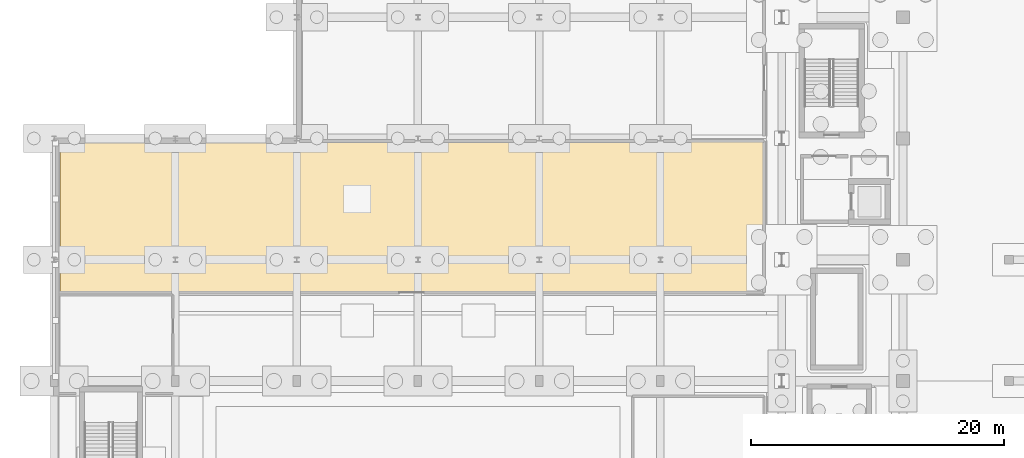
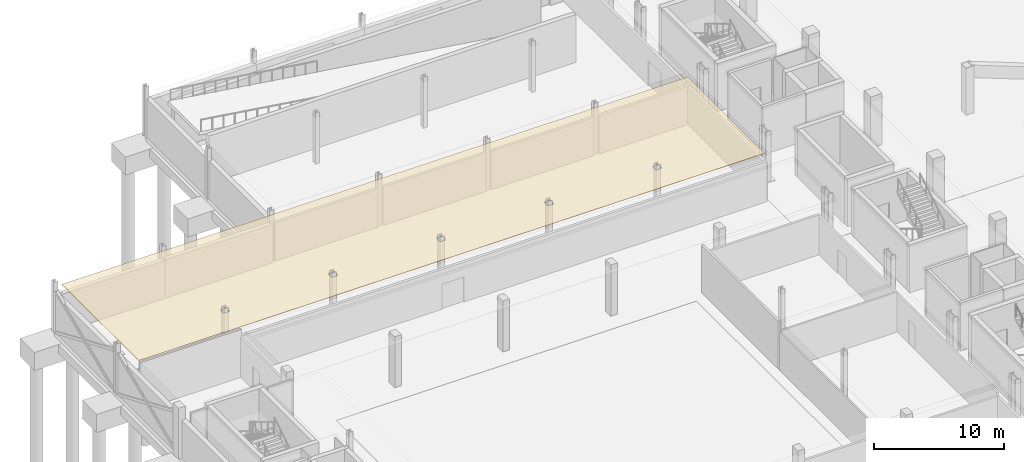
# One storey, part 47 of 67: 1 covering.
"""IFC4 building model written with IfcOpenShell, lengths in metres."""

import ifcopenshell
import ifcopenshell.guid

model = None  # the IFC model being written
_history = None  # IfcOwnerHistory: only IFC2X3 demands one
_inside = {}  # id of a spatial element -> (the spatial element, [elements in it])
_under = {}  # id of a project, library or spatial element -> (it, [spatial elements below it])
_declared = {}  # id of a project -> (the project, [libraries it declares])
_typed = {}  # id of a type object -> (the type object, [elements of that type])
_made_of = {}  # id of a material, layer set ... -> (it, [elements and type objects made of it])


def new_model(schema):
    """Start an empty IFC model of exactly this schema.

    Asked for "IFC4X3", IfcOpenShell would pick the latest addendum, in which some entities
    have other attributes; the version numbers below select the first issue.
    IFC2X3 requires an IfcOwnerHistory on every rooted entity: one is made here for all.
    """
    global model, _history
    if schema == "IFC4X3":
        model = ifcopenshell.file(schema_version=(4, 3, 0, 0))
    else:
        model = ifcopenshell.file(schema=schema)
    _inside.clear()
    _under.clear()
    _declared.clear()
    _typed.clear()
    _made_of.clear()
    _history = None
    if model.schema == "IFC2X3":
        org = make("IfcOrganization", Name="unknown")
        user = make(
            "IfcPersonAndOrganization",
            ThePerson=make("IfcPerson", FamilyName="unknown"),
            TheOrganization=org,
        )
        app = make(
            "IfcApplication",
            ApplicationDeveloper=org,
            Version="unknown",
            ApplicationFullName="unknown",
            ApplicationIdentifier="unknown",
        )
        _history = make(
            "IfcOwnerHistory",
            OwningUser=user,
            OwningApplication=app,
            ChangeAction="ADDED",
            CreationDate=0,
        )
    return model


def make(cls, **values):
    """One entity of the class cls with the attributes given. An attribute that is None is left unset."""
    return model.create_entity(
        cls, **{name: value for name, value in values.items() if value is not None}
    )


def rooted(cls, **values):
    """An entity with a GlobalId (a new one), such as an element, a storey or a relation."""
    return make(cls, GlobalId=ifcopenshell.guid.new(), OwnerHistory=_history, **values)


def si_unit(unit_type, name, prefix=None):
    """IfcSIUnit, for example si_unit("LENGTHUNIT", "METRE", prefix="MILLI")."""
    return make("IfcSIUnit", UnitType=unit_type, Prefix=prefix, Name=name)


def assignment(units):
    """IfcUnitAssignment: the units of a project."""
    return None if units is None else make("IfcUnitAssignment", Units=units)


def point(xyz):
    """IfcCartesianPoint."""
    return None if xyz is None else make("IfcCartesianPoint", Coordinates=xyz)


def direction(xyz):
    """IfcDirection."""
    return None if xyz is None else make("IfcDirection", DirectionRatios=xyz)


def frame(location, z_axis=None, x_axis=None):
    """IfcAxis2Placement3D, a coordinate frame: its origin and axes. An axis left out is left unset."""
    return make(
        "IfcAxis2Placement3D",
        Location=point(location),
        Axis=direction(z_axis),
        RefDirection=direction(x_axis),
    )


def origin():
    """The frame at (0, 0, 0) with its axes left unset."""
    return frame((0.0, 0.0, 0.0))


def place(relative_to, where):
    """IfcLocalPlacement: puts the frame where relative to a parent placement (None: the world)."""
    return make(
        "IfcLocalPlacement", PlacementRelTo=relative_to, RelativePlacement=where
    )


def context(
    kind, dimensions, precision=None, world=None, true_north=None, identifier=None
):
    """IfcGeometricRepresentationContext, for example the 3D "Model" context."""
    return make(
        "IfcGeometricRepresentationContext",
        ContextIdentifier=identifier,
        ContextType=kind,
        CoordinateSpaceDimension=dimensions,
        Precision=precision,
        WorldCoordinateSystem=world,
        TrueNorth=true_north,
    )


def subcontext(parent, identifier, kind, view, scale=None):
    """IfcGeometricRepresentationSubContext, for example "Body" below "Model"."""
    return make(
        "IfcGeometricRepresentationSubContext",
        ContextIdentifier=identifier,
        ContextType=kind,
        ParentContext=parent,
        TargetScale=scale,
        TargetView=view,
    )


def project(units=None, contexts=None):
    """IfcProject with its units and contexts."""
    return rooted(
        "IfcProject",
        Name="project",
        RepresentationContexts=contexts,
        UnitsInContext=assignment(units),
    )


def spatial(cls, under=None, at=None, **own):
    """A site, building, storey or space (cls), placed at a placement, below another one or the project."""
    s = rooted(cls, ObjectPlacement=at, **own)
    if under is not None:
        _under.setdefault(under.id(), (under, []))[1].append(s)
    return s


def polyline(points):
    """IfcPolyline through the points."""
    return make("IfcPolyline", Points=[point(p) for p in points])


def outline(outer, holes=None, kind="AREA"):
    """IfcArbitraryClosedProfileDef: a profile drawn as a closed curve; with holes, ...WithVoids."""
    if holes is None:
        return make("IfcArbitraryClosedProfileDef", ProfileType=kind, OuterCurve=outer)
    return make(
        "IfcArbitraryProfileDefWithVoids",
        ProfileType=kind,
        OuterCurve=outer,
        InnerCurves=holes,
    )


def extrude(swept, where, along, depth):
    """IfcExtrudedAreaSolid: the profile swept, set in the frame where, extruded along a direction by depth."""
    return make(
        "IfcExtrudedAreaSolid",
        SweptArea=swept,
        Position=where,
        ExtrudedDirection=direction(along),
        Depth=depth,
    )


def shape(context_of_items, identifier, shape_type, items):
    """IfcShapeRepresentation: the items that make up one representation, for example the "Body"."""
    return make(
        "IfcShapeRepresentation",
        ContextOfItems=context_of_items,
        RepresentationIdentifier=identifier,
        RepresentationType=shape_type,
        Items=items,
    )


def material(Name=None, Category=None):
    """IfcMaterial."""
    return make("IfcMaterial", Name=Name, Category=Category)


def layer(
    of_material, thickness, ventilated=None, Name=None, Category=None, Priority=None
):
    """IfcMaterialLayer: one layer of a wall or slab, of a material (None: an air gap)."""
    return make(
        "IfcMaterialLayer",
        Material=of_material,
        LayerThickness=thickness,
        IsVentilated=ventilated,
        Name=Name,
        Category=Category,
        Priority=Priority,
    )


def layer_set(layers, Name=None):
    """IfcMaterialLayerSet."""
    return make("IfcMaterialLayerSet", MaterialLayers=layers, LayerSetName=Name)


def made_of(thing, what):
    """Note that an element or type object is made of a material, layer set ...; save() writes the relation."""
    if what is not None:
        _made_of.setdefault(what.id(), (what, []))[1].append(thing)
    return thing


def type_object(cls, material=None, **own):
    """A type object (cls), such as IfcWallType, which elements share."""
    return made_of(rooted(cls, **own), material)


def element(
    cls,
    number,
    at=None,
    inside=None,
    cuts=None,
    type_object=None,
    material=None,
    context=None,
    identifier="Body",
    shape_type=None,
    held_by="IfcProductDefinitionShape",
    body=None,
    shapes=None,
    **own,
):
    """One element of the class cls, such as IfcWall. Its Tag is "e" and its number.

    at: its placement. inside: the storey or other place that contains it. cuts: it is an
    opening in that element (IfcRelVoidsElement). A single representation is given by context,
    identifier, shape_type and body (its items); several are given by shapes. held_by: the class
    of the entity that holds the representations. save() writes the other relations.
    """
    e = rooted(cls, Tag="e%d" % number, ObjectPlacement=at, **own)
    if body is not None:
        shapes = [shape(context, identifier, shape_type, body)]
    if shapes is not None:
        e.Representation = make(held_by, Representations=shapes)
    if inside is not None:
        _inside.setdefault(inside.id(), (inside, []))[1].append(e)
    if cuts is not None:
        rooted(
            "IfcRelVoidsElement", RelatingBuildingElement=cuts, RelatedOpeningElement=e
        )
    if type_object is not None:
        _typed.setdefault(type_object.id(), (type_object, []))[1].append(e)
    return made_of(e, material)


def aggregate(whole, parts):
    """IfcRelAggregates: a whole, such as a stair, and the parts it consists of."""
    return rooted("IfcRelAggregates", RelatingObject=whole, RelatedObjects=parts)


def save(model, path):
    """Write the relations noted so far, then the file.

    IfcRelAggregates (storeys below a building ...), IfcRelContainedInSpatialStructure (elements
    in a storey), IfcRelDefinesByType, IfcRelAssociatesMaterial and IfcRelDeclares: one each for
    every whole, place, type object, material and project.
    """
    for whole, parts in _under.values():
        aggregate(whole, parts)
    for where, things in _inside.values():
        rooted(
            "IfcRelContainedInSpatialStructure",
            RelatedElements=things,
            RelatingStructure=where,
        )
    for kind, things in _typed.values():
        rooted("IfcRelDefinesByType", RelatedObjects=things, RelatingType=kind)
    for what, things in _made_of.values():
        rooted("IfcRelAssociatesMaterial", RelatedObjects=things, RelatingMaterial=what)
    for by, libraries in _declared.values():
        rooted("IfcRelDeclares", RelatingContext=by, RelatedDefinitions=libraries)
    model.write(path)


model = new_model("IFC4")

# Units and contexts
model_context = context("Model", 3, precision=1e-05, world=origin(), true_north=direction((0.0, 1.0)))
body_context = subcontext(model_context, "Body", "Model", "MODEL_VIEW")
ifc_project = project(units=[si_unit("LENGTHUNIT", "METRE"), si_unit("AREAUNIT", "SQUARE_METRE"), si_unit("VOLUMEUNIT", "CUBIC_METRE"), si_unit("PLANEANGLEUNIT", "RADIAN"), si_unit("MASSUNIT", "GRAM", prefix="KILO")], contexts=[model_context])

# Site, building, storey
site_placement = place(None, origin())
site = spatial("IfcSite", under=ifc_project, at=site_placement, CompositionType="ELEMENT")
building_placement = place(site_placement, origin())
building = spatial("IfcBuilding", under=site, at=building_placement, Name="Caelomonte Colonnade Arena", CompositionType="ELEMENT")
storey_placement = place(building_placement, frame((0.0, 0.0, -4.800048828125)))
storey = spatial("IfcBuildingStorey", under=building, at=storey_placement, Name="B1", CompositionType="ELEMENT", Elevation=-4.800048828125)

# Covering
ifc_material = material(Name="Perforated acoustic mineral-fibre ceiling")
ifc_layer = layer(ifc_material, 0.0400390625)
ifc_layer_set = layer_set([ifc_layer], Name="Perforated acoustic mineral-fibre ceiling")
covering_type = type_object("IfcCoveringType", Name="INT-CV-CEIL1", PredefinedType="CEILING", material=ifc_layer_set)
covering_placement = place(storey_placement, frame((0.0, 0.0, 4.420166015625)))
element("IfcCovering", 1, at=covering_placement, inside=storey, type_object=covering_type, Name="B1 Event Marshalling Area acoustic ceiling", PredefinedType="CEILING", context=body_context, shape_type="SweptSolid", body=[
    extrude(outline(polyline([(19.2333984375, 86.101806640625), (19.2255859375, 86.101318359375), (19.203857421875, 86.10009765625), (19.199951171875, 86.10009765625), (0.47998046875, 86.10009765625), (0.47998046875, 74.280029296875), (56.1201171875, 74.280029296875), (56.1201171875, 86.1201171875), (48.21533203125, 86.1201171875), (48.209716796875, 86.119140625), (48.201904296875, 86.118896484375), (47.798095703125, 86.118896484375), (47.790283203125, 86.119140625), (47.78466796875, 86.1201171875), (38.615234375, 86.1201171875), (38.60986328125, 86.119140625), (38.60205078125, 86.118896484375), (38.197998046875, 86.118896484375), (38.190185546875, 86.119140625), (38.184814453125, 86.1201171875), (29.015380859375, 86.1201171875), (29.009765625, 86.119140625), (29.001953125, 86.118896484375), (28.597900390625, 86.118896484375), (28.590087890625, 86.119140625), (28.584716796875, 86.1201171875), (19.415283203125, 86.1201171875), (19.409912109375, 86.119140625), (19.402099609375, 86.118896484375), (19.3037109375, 86.118896484375), (19.290771484375, 86.114013671875), (19.283203125, 86.11181640625), (19.262451171875, 86.106689453125), (19.254638671875, 86.10498046875), (19.2333984375, 86.101806640625)]), holes=[polyline([(47.718505859375, 76.591064453125), (47.718017578125, 76.598876953125), (47.718017578125, 77.001220703125), (47.718505859375, 77.009033203125), (47.719482421875, 77.016845703125), (47.721435546875, 77.0244140625), (47.72412109375, 77.03173828125), (47.727294921875, 77.038818359375), (47.7314453125, 77.045654296875), (47.736083984375, 77.052001953125), (47.741455078125, 77.057861328125), (47.747314453125, 77.06298828125), (47.753662109375, 77.067626953125), (47.76025390625, 77.07177734375), (47.767333984375, 77.0751953125), (47.77490234375, 77.077880859375), (47.782470703125, 77.07958984375), (47.790283203125, 77.080810546875), (47.798095703125, 77.081298828125), (48.201904296875, 77.081298828125), (48.209716796875, 77.080810546875), (48.217529296875, 77.07958984375), (48.22509765625, 77.077880859375), (48.232666015625, 77.0751953125), (48.23974609375, 77.07177734375), (48.246337890625, 77.067626953125), (48.252685546875, 77.06298828125), (48.258544921875, 77.057861328125), (48.263916015625, 77.052001953125), (48.2685546875, 77.045654296875), (48.272705078125, 77.038818359375), (48.27587890625, 77.03173828125), (48.278564453125, 77.0244140625), (48.280517578125, 77.016845703125), (48.281494140625, 77.009033203125), (48.281982421875, 77.001220703125), (48.281982421875, 76.598876953125), (48.281494140625, 76.591064453125), (48.280517578125, 76.583251953125), (48.278564453125, 76.57568359375), (48.27587890625, 76.568115234375), (48.272705078125, 76.56103515625), (48.2685546875, 76.554443359375), (48.263916015625, 76.548095703125), (48.258544921875, 76.542236328125), (48.252685546875, 76.537109375), (48.246337890625, 76.5322265625), (48.23974609375, 76.5283203125), (48.232666015625, 76.52490234375), (48.22509765625, 76.522216796875), (48.217529296875, 76.520263671875), (48.209716796875, 76.519287109375), (48.201904296875, 76.518798828125), (47.798095703125, 76.518798828125), (47.790283203125, 76.519287109375), (47.782470703125, 76.520263671875), (47.77490234375, 76.522216796875), (47.767333984375, 76.52490234375), (47.76025390625, 76.5283203125), (47.753662109375, 76.5322265625), (47.747314453125, 76.537109375), (47.741455078125, 76.542236328125), (47.736083984375, 76.548095703125), (47.7314453125, 76.554443359375), (47.727294921875, 76.56103515625), (47.72412109375, 76.568115234375), (47.721435546875, 76.57568359375), (47.719482421875, 76.583251953125), (47.718505859375, 76.591064453125)]), polyline([(38.60986328125, 76.519287109375), (38.60205078125, 76.518798828125), (38.197998046875, 76.518798828125), (38.190185546875, 76.519287109375), (38.182373046875, 76.520263671875), (38.1748046875, 76.522216796875), (38.16748046875, 76.52490234375), (38.160400390625, 76.5283203125), (38.153564453125, 76.5322265625), (38.147216796875, 76.537109375), (38.141357421875, 76.542236328125), (38.13623046875, 76.548095703125), (38.131591796875, 76.554443359375), (38.12744140625, 76.56103515625), (38.1240234375, 76.568115234375), (38.121337890625, 76.57568359375), (38.119384765625, 76.583251953125), (38.118408203125, 76.591064453125), (38.117919921875, 76.598876953125), (38.117919921875, 77.001220703125), (38.118408203125, 77.009033203125), (38.119384765625, 77.016845703125), (38.121337890625, 77.0244140625), (38.1240234375, 77.03173828125), (38.12744140625, 77.038818359375), (38.131591796875, 77.045654296875), (38.13623046875, 77.052001953125), (38.141357421875, 77.057861328125), (38.147216796875, 77.06298828125), (38.153564453125, 77.067626953125), (38.160400390625, 77.07177734375), (38.16748046875, 77.0751953125), (38.1748046875, 77.077880859375), (38.182373046875, 77.07958984375), (38.190185546875, 77.080810546875), (38.197998046875, 77.081298828125), (38.60205078125, 77.081298828125), (38.60986328125, 77.080810546875), (38.61767578125, 77.07958984375), (38.625244140625, 77.077880859375), (38.632568359375, 77.0751953125), (38.6396484375, 77.07177734375), (38.646484375, 77.067626953125), (38.65283203125, 77.06298828125), (38.65869140625, 77.057861328125), (38.663818359375, 77.052001953125), (38.66845703125, 77.045654296875), (38.672607421875, 77.038818359375), (38.67578125, 77.03173828125), (38.6787109375, 77.0244140625), (38.680419921875, 77.016845703125), (38.681640625, 77.009033203125), (38.681884765625, 77.001220703125), (38.681884765625, 76.598876953125), (38.681640625, 76.591064453125), (38.680419921875, 76.583251953125), (38.6787109375, 76.57568359375), (38.67578125, 76.568115234375), (38.672607421875, 76.56103515625), (38.66845703125, 76.554443359375), (38.663818359375, 76.548095703125), (38.65869140625, 76.542236328125), (38.65283203125, 76.537109375), (38.646484375, 76.5322265625), (38.6396484375, 76.5283203125), (38.632568359375, 76.52490234375), (38.625244140625, 76.522216796875), (38.61767578125, 76.520263671875), (38.60986328125, 76.519287109375)]), polyline([(28.518310546875, 76.591064453125), (28.51806640625, 76.598876953125), (28.51806640625, 77.001220703125), (28.518310546875, 77.009033203125), (28.51953125, 77.016845703125), (28.521484375, 77.0244140625), (28.524169921875, 77.03173828125), (28.52734375, 77.038818359375), (28.531494140625, 77.045654296875), (28.5361328125, 77.052001953125), (28.54150390625, 77.057861328125), (28.547119140625, 77.06298828125), (28.5537109375, 77.067626953125), (28.560302734375, 77.07177734375), (28.5673828125, 77.0751953125), (28.57470703125, 77.077880859375), (28.58251953125, 77.07958984375), (28.590087890625, 77.080810546875), (28.597900390625, 77.081298828125), (29.001953125, 77.081298828125), (29.009765625, 77.080810546875), (29.017578125, 77.07958984375), (29.025146484375, 77.077880859375), (29.03271484375, 77.0751953125), (29.039794921875, 77.07177734375), (29.04638671875, 77.067626953125), (29.052734375, 77.06298828125), (29.05859375, 77.057861328125), (29.063720703125, 77.052001953125), (29.068603515625, 77.045654296875), (29.072509765625, 77.038818359375), (29.075927734375, 77.03173828125), (29.07861328125, 77.0244140625), (29.08056640625, 77.016845703125), (29.08154296875, 77.009033203125), (29.08203125, 77.001220703125), (29.08203125, 76.598876953125), (29.08154296875, 76.591064453125), (29.08056640625, 76.583251953125), (29.07861328125, 76.57568359375), (29.075927734375, 76.568115234375), (29.072509765625, 76.56103515625), (29.068603515625, 76.554443359375), (29.063720703125, 76.548095703125), (29.05859375, 76.542236328125), (29.052734375, 76.537109375), (29.04638671875, 76.5322265625), (29.039794921875, 76.5283203125), (29.03271484375, 76.52490234375), (29.025146484375, 76.522216796875), (29.017578125, 76.520263671875), (29.009765625, 76.519287109375), (29.001953125, 76.518798828125), (28.597900390625, 76.518798828125), (28.590087890625, 76.519287109375), (28.58251953125, 76.520263671875), (28.57470703125, 76.522216796875), (28.5673828125, 76.52490234375), (28.560302734375, 76.5283203125), (28.5537109375, 76.5322265625), (28.547119140625, 76.537109375), (28.54150390625, 76.542236328125), (28.5361328125, 76.548095703125), (28.531494140625, 76.554443359375), (28.52734375, 76.56103515625), (28.524169921875, 76.568115234375), (28.521484375, 76.57568359375), (28.51953125, 76.583251953125), (28.518310546875, 76.591064453125)]), polyline([(18.91845703125, 76.591064453125), (18.91796875, 76.598876953125), (18.91796875, 77.001220703125), (18.91845703125, 77.009033203125), (18.91943359375, 77.016845703125), (18.92138671875, 77.0244140625), (18.924072265625, 77.03173828125), (18.927490234375, 77.038818359375), (18.931396484375, 77.045654296875), (18.936279296875, 77.052001953125), (18.94140625, 77.057861328125), (18.947265625, 77.06298828125), (18.95361328125, 77.067626953125), (18.960205078125, 77.07177734375), (18.96728515625, 77.0751953125), (18.974853515625, 77.077880859375), (18.982421875, 77.07958984375), (18.990234375, 77.080810546875), (18.998046875, 77.081298828125), (19.402099609375, 77.081298828125), (19.409912109375, 77.080810546875), (19.41748046875, 77.07958984375), (19.42529296875, 77.077880859375), (19.4326171875, 77.0751953125), (19.439697265625, 77.07177734375), (19.4462890625, 77.067626953125), (19.452880859375, 77.06298828125), (19.45849609375, 77.057861328125), (19.4638671875, 77.052001953125), (19.468505859375, 77.045654296875), (19.47265625, 77.038818359375), (19.475830078125, 77.03173828125), (19.478515625, 77.0244140625), (19.48046875, 77.016845703125), (19.481689453125, 77.009033203125), (19.48193359375, 77.001220703125), (19.48193359375, 76.598876953125), (19.481689453125, 76.591064453125), (19.48046875, 76.583251953125), (19.478515625, 76.57568359375), (19.475830078125, 76.568115234375), (19.47265625, 76.56103515625), (19.468505859375, 76.554443359375), (19.4638671875, 76.548095703125), (19.45849609375, 76.542236328125), (19.452880859375, 76.537109375), (19.4462890625, 76.5322265625), (19.439697265625, 76.5283203125), (19.4326171875, 76.52490234375), (19.42529296875, 76.522216796875), (19.41748046875, 76.520263671875), (19.409912109375, 76.519287109375), (19.402099609375, 76.518798828125), (18.998046875, 76.518798828125), (18.990234375, 76.519287109375), (18.982421875, 76.520263671875), (18.974853515625, 76.522216796875), (18.96728515625, 76.52490234375), (18.960205078125, 76.5283203125), (18.95361328125, 76.5322265625), (18.947265625, 76.537109375), (18.94140625, 76.542236328125), (18.936279296875, 76.548095703125), (18.931396484375, 76.554443359375), (18.927490234375, 76.56103515625), (18.924072265625, 76.568115234375), (18.92138671875, 76.57568359375), (18.91943359375, 76.583251953125), (18.91845703125, 76.591064453125)]), polyline([(9.318359375, 76.591064453125), (9.318115234375, 76.598876953125), (9.318115234375, 77.001220703125), (9.318359375, 77.009033203125), (9.319580078125, 77.016845703125), (9.3212890625, 77.0244140625), (9.32421875, 77.03173828125), (9.327392578125, 77.038818359375), (9.33154296875, 77.045654296875), (9.336181640625, 77.052001953125), (9.34130859375, 77.057861328125), (9.34716796875, 77.06298828125), (9.353515625, 77.067626953125), (9.3603515625, 77.07177734375), (9.367431640625, 77.0751953125), (9.374755859375, 77.077880859375), (9.38232421875, 77.07958984375), (9.39013671875, 77.080810546875), (9.39794921875, 77.081298828125), (9.802001953125, 77.081298828125), (9.809814453125, 77.080810546875), (9.817626953125, 77.07958984375), (9.8251953125, 77.077880859375), (9.83251953125, 77.0751953125), (9.839599609375, 77.07177734375), (9.846435546875, 77.067626953125), (9.852783203125, 77.06298828125), (9.858642578125, 77.057861328125), (9.86376953125, 77.052001953125), (9.868408203125, 77.045654296875), (9.87255859375, 77.038818359375), (9.8759765625, 77.03173828125), (9.878662109375, 77.0244140625), (9.880615234375, 77.016845703125), (9.881591796875, 77.009033203125), (9.882080078125, 77.001220703125), (9.882080078125, 76.598876953125), (9.881591796875, 76.591064453125), (9.880615234375, 76.583251953125), (9.878662109375, 76.57568359375), (9.8759765625, 76.568115234375), (9.87255859375, 76.56103515625), (9.868408203125, 76.554443359375), (9.86376953125, 76.548095703125), (9.858642578125, 76.542236328125), (9.852783203125, 76.537109375), (9.846435546875, 76.5322265625), (9.839599609375, 76.5283203125), (9.83251953125, 76.52490234375), (9.8251953125, 76.522216796875), (9.817626953125, 76.520263671875), (9.809814453125, 76.519287109375), (9.802001953125, 76.518798828125), (9.39794921875, 76.518798828125), (9.39013671875, 76.519287109375), (9.38232421875, 76.520263671875), (9.374755859375, 76.522216796875), (9.367431640625, 76.52490234375), (9.3603515625, 76.5283203125), (9.353515625, 76.5322265625), (9.34716796875, 76.537109375), (9.34130859375, 76.542236328125), (9.336181640625, 76.548095703125), (9.33154296875, 76.554443359375), (9.327392578125, 76.56103515625), (9.32421875, 76.568115234375), (9.3212890625, 76.57568359375), (9.319580078125, 76.583251953125), (9.318359375, 76.591064453125)])]), origin(), (0.0, 0.0, 1.0), 0.039794921875),
])

save(model, "model.ifc")
